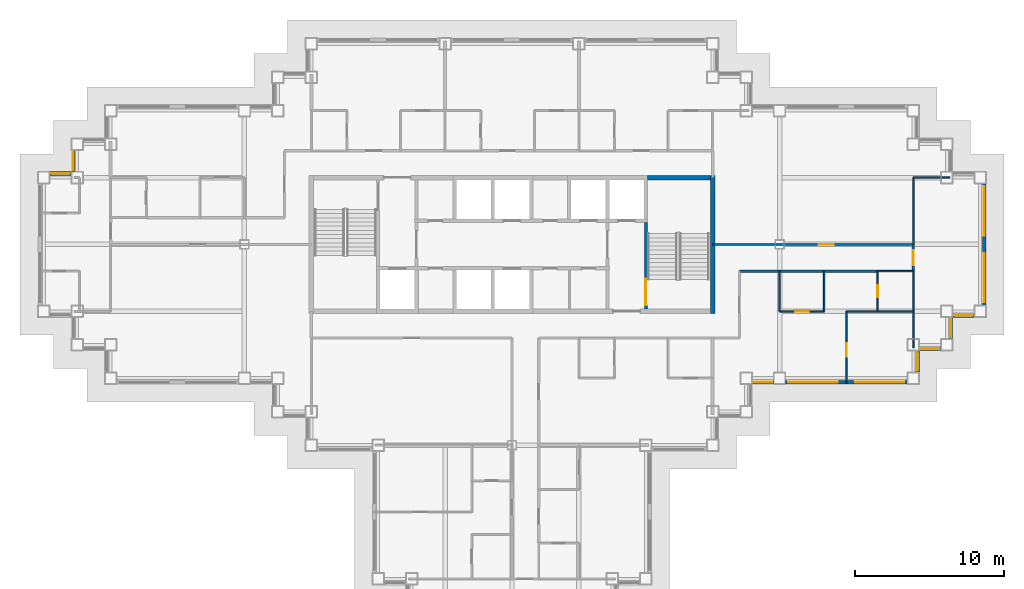
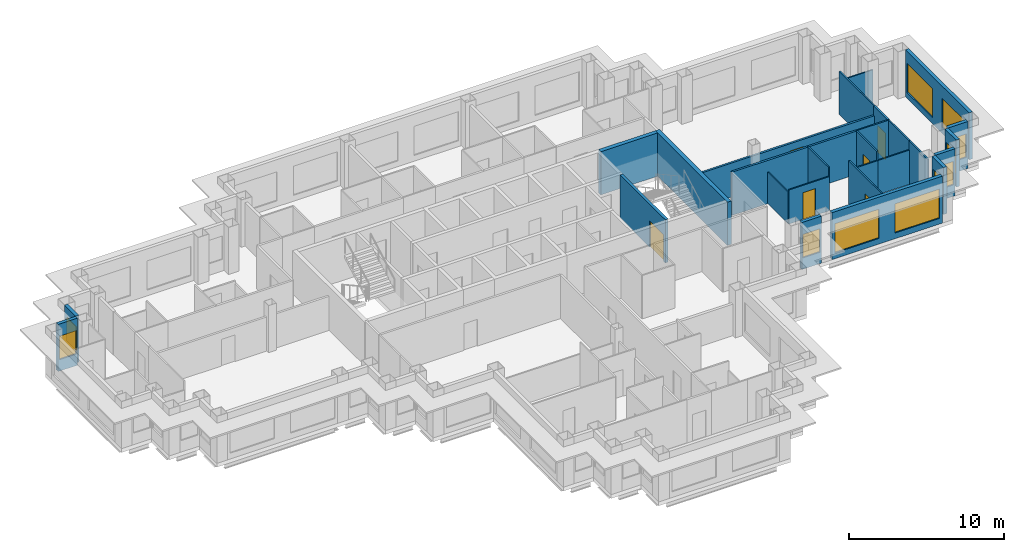
# One storey, part 7 of 13: 27 walls, 11 windows, 6 doors, 17 openings.
"""IFC4 building model written with IfcOpenShell, lengths in metres."""

import ifcopenshell
import ifcopenshell.guid

model = None  # the IFC model being written
_history = None  # IfcOwnerHistory: only IFC2X3 demands one
_inside = {}  # id of a spatial element -> (the spatial element, [elements in it])
_under = {}  # id of a project, library or spatial element -> (it, [spatial elements below it])
_declared = {}  # id of a project -> (the project, [libraries it declares])
_typed = {}  # id of a type object -> (the type object, [elements of that type])
_made_of = {}  # id of a material, layer set ... -> (it, [elements and type objects made of it])


def new_model(schema):
    """Start an empty IFC model of exactly this schema.

    Asked for "IFC4X3", IfcOpenShell would pick the latest addendum, in which some entities
    have other attributes; the version numbers below select the first issue.
    IFC2X3 requires an IfcOwnerHistory on every rooted entity: one is made here for all.
    """
    global model, _history
    if schema == "IFC4X3":
        model = ifcopenshell.file(schema_version=(4, 3, 0, 0))
    else:
        model = ifcopenshell.file(schema=schema)
    _inside.clear()
    _under.clear()
    _declared.clear()
    _typed.clear()
    _made_of.clear()
    _history = None
    if model.schema == "IFC2X3":
        org = make("IfcOrganization", Name="unknown")
        user = make(
            "IfcPersonAndOrganization",
            ThePerson=make("IfcPerson", FamilyName="unknown"),
            TheOrganization=org,
        )
        app = make(
            "IfcApplication",
            ApplicationDeveloper=org,
            Version="unknown",
            ApplicationFullName="unknown",
            ApplicationIdentifier="unknown",
        )
        _history = make(
            "IfcOwnerHistory",
            OwningUser=user,
            OwningApplication=app,
            ChangeAction="ADDED",
            CreationDate=0,
        )
    return model


def make(cls, **values):
    """One entity of the class cls with the attributes given. An attribute that is None is left unset."""
    return model.create_entity(
        cls, **{name: value for name, value in values.items() if value is not None}
    )


def rooted(cls, **values):
    """An entity with a GlobalId (a new one), such as an element, a storey or a relation."""
    return make(cls, GlobalId=ifcopenshell.guid.new(), OwnerHistory=_history, **values)


def si_unit(unit_type, name, prefix=None):
    """IfcSIUnit, for example si_unit("LENGTHUNIT", "METRE", prefix="MILLI")."""
    return make("IfcSIUnit", UnitType=unit_type, Prefix=prefix, Name=name)


def assignment(units):
    """IfcUnitAssignment: the units of a project."""
    return None if units is None else make("IfcUnitAssignment", Units=units)


def point(xyz):
    """IfcCartesianPoint."""
    return None if xyz is None else make("IfcCartesianPoint", Coordinates=xyz)


def direction(xyz):
    """IfcDirection."""
    return None if xyz is None else make("IfcDirection", DirectionRatios=xyz)


def frame(location, z_axis=None, x_axis=None):
    """IfcAxis2Placement3D, a coordinate frame: its origin and axes. An axis left out is left unset."""
    return make(
        "IfcAxis2Placement3D",
        Location=point(location),
        Axis=direction(z_axis),
        RefDirection=direction(x_axis),
    )


def frame_2d(location, x_axis=None):
    """IfcAxis2Placement2D, a coordinate frame in the plane: its origin and x axis."""
    return make(
        "IfcAxis2Placement2D", Location=point(location), RefDirection=direction(x_axis)
    )


def origin():
    """The frame at (0, 0, 0) with its axes left unset."""
    return frame((0.0, 0.0, 0.0))


def place(relative_to, where):
    """IfcLocalPlacement: puts the frame where relative to a parent placement (None: the world)."""
    return make(
        "IfcLocalPlacement", PlacementRelTo=relative_to, RelativePlacement=where
    )


def context(
    kind, dimensions, precision=None, world=None, true_north=None, identifier=None
):
    """IfcGeometricRepresentationContext, for example the 3D "Model" context."""
    return make(
        "IfcGeometricRepresentationContext",
        ContextIdentifier=identifier,
        ContextType=kind,
        CoordinateSpaceDimension=dimensions,
        Precision=precision,
        WorldCoordinateSystem=world,
        TrueNorth=true_north,
    )


def subcontext(parent, identifier, kind, view, scale=None):
    """IfcGeometricRepresentationSubContext, for example "Body" below "Model"."""
    return make(
        "IfcGeometricRepresentationSubContext",
        ContextIdentifier=identifier,
        ContextType=kind,
        ParentContext=parent,
        TargetScale=scale,
        TargetView=view,
    )


def project(units=None, contexts=None):
    """IfcProject with its units and contexts."""
    return rooted(
        "IfcProject",
        Name="project",
        RepresentationContexts=contexts,
        UnitsInContext=assignment(units),
    )


def spatial(cls, under=None, at=None, **own):
    """A site, building, storey or space (cls), placed at a placement, below another one or the project."""
    s = rooted(cls, ObjectPlacement=at, **own)
    if under is not None:
        _under.setdefault(under.id(), (under, []))[1].append(s)
    return s


def profile(cls, at=None, kind="AREA", **sizes):
    """A parametric profile (cls). Its sizes go by their IFC names, for example OverallWidth=200.0."""
    return make(cls, ProfileType=kind, Position=at, **sizes)


def rectangle(**sizes):
    """IfcRectangleProfileDef."""
    return profile("IfcRectangleProfileDef", **sizes)


def extrude(swept, where, along, depth):
    """IfcExtrudedAreaSolid: the profile swept, set in the frame where, extruded along a direction by depth."""
    return make(
        "IfcExtrudedAreaSolid",
        SweptArea=swept,
        Position=where,
        ExtrudedDirection=direction(along),
        Depth=depth,
    )


def shape(context_of_items, identifier, shape_type, items):
    """IfcShapeRepresentation: the items that make up one representation, for example the "Body"."""
    return make(
        "IfcShapeRepresentation",
        ContextOfItems=context_of_items,
        RepresentationIdentifier=identifier,
        RepresentationType=shape_type,
        Items=items,
    )


def material(Name=None, Category=None):
    """IfcMaterial."""
    return make("IfcMaterial", Name=Name, Category=Category)


def layer(
    of_material, thickness, ventilated=None, Name=None, Category=None, Priority=None
):
    """IfcMaterialLayer: one layer of a wall or slab, of a material (None: an air gap)."""
    return make(
        "IfcMaterialLayer",
        Material=of_material,
        LayerThickness=thickness,
        IsVentilated=ventilated,
        Name=Name,
        Category=Category,
        Priority=Priority,
    )


def layer_set(layers, Name=None):
    """IfcMaterialLayerSet."""
    return make("IfcMaterialLayerSet", MaterialLayers=layers, LayerSetName=Name)


def made_of(thing, what):
    """Note that an element or type object is made of a material, layer set ...; save() writes the relation."""
    if what is not None:
        _made_of.setdefault(what.id(), (what, []))[1].append(thing)
    return thing


def type_object(cls, material=None, **own):
    """A type object (cls), such as IfcWallType, which elements share."""
    return made_of(rooted(cls, **own), material)


def element(
    cls,
    number,
    at=None,
    inside=None,
    cuts=None,
    type_object=None,
    material=None,
    context=None,
    identifier="Body",
    shape_type=None,
    held_by="IfcProductDefinitionShape",
    body=None,
    shapes=None,
    **own,
):
    """One element of the class cls, such as IfcWall. Its Tag is "e" and its number.

    at: its placement. inside: the storey or other place that contains it. cuts: it is an
    opening in that element (IfcRelVoidsElement). A single representation is given by context,
    identifier, shape_type and body (its items); several are given by shapes. held_by: the class
    of the entity that holds the representations. save() writes the other relations.
    """
    e = rooted(cls, Tag="e%d" % number, ObjectPlacement=at, **own)
    if body is not None:
        shapes = [shape(context, identifier, shape_type, body)]
    if shapes is not None:
        e.Representation = make(held_by, Representations=shapes)
    if inside is not None:
        _inside.setdefault(inside.id(), (inside, []))[1].append(e)
    if cuts is not None:
        rooted(
            "IfcRelVoidsElement", RelatingBuildingElement=cuts, RelatedOpeningElement=e
        )
    if type_object is not None:
        _typed.setdefault(type_object.id(), (type_object, []))[1].append(e)
    return made_of(e, material)


def fill(opening, filler):
    """IfcRelFillsElement: the door or window that sits in an opening."""
    return rooted(
        "IfcRelFillsElement",
        RelatingOpeningElement=opening,
        RelatedBuildingElement=filler,
    )


def aggregate(whole, parts):
    """IfcRelAggregates: a whole, such as a stair, and the parts it consists of."""
    return rooted("IfcRelAggregates", RelatingObject=whole, RelatedObjects=parts)


def save(model, path):
    """Write the relations noted so far, then the file.

    IfcRelAggregates (storeys below a building ...), IfcRelContainedInSpatialStructure (elements
    in a storey), IfcRelDefinesByType, IfcRelAssociatesMaterial and IfcRelDeclares: one each for
    every whole, place, type object, material and project.
    """
    for whole, parts in _under.values():
        aggregate(whole, parts)
    for where, things in _inside.values():
        rooted(
            "IfcRelContainedInSpatialStructure",
            RelatedElements=things,
            RelatingStructure=where,
        )
    for kind, things in _typed.values():
        rooted("IfcRelDefinesByType", RelatedObjects=things, RelatingType=kind)
    for what, things in _made_of.values():
        rooted("IfcRelAssociatesMaterial", RelatedObjects=things, RelatingMaterial=what)
    for by, libraries in _declared.values():
        rooted("IfcRelDeclares", RelatingContext=by, RelatedDefinitions=libraries)
    model.write(path)


model = new_model("IFC4")

# Units and contexts
model_context = context("Model", 3, precision=1e-05, world=origin(), true_north=direction((0.0, 1.0)))
body_context = subcontext(model_context, "Body", "Model", "MODEL_VIEW")
ifc_project = project(units=[si_unit("LENGTHUNIT", "METRE"), si_unit("AREAUNIT", "SQUARE_METRE"), si_unit("VOLUMEUNIT", "CUBIC_METRE"), si_unit("PLANEANGLEUNIT", "RADIAN"), si_unit("MASSUNIT", "GRAM", prefix="KILO")], contexts=[model_context])

# Site, building, storey
site_placement = place(None, origin())
site = spatial("IfcSite", under=ifc_project, at=site_placement, CompositionType="ELEMENT")
building_placement = place(site_placement, origin())
building = spatial("IfcBuilding", under=site, at=building_placement, Name="Caravel Reach Hotel and Residences", CompositionType="ELEMENT")
storey_placement = place(building_placement, frame((0.0, 0.0, 154.300048828125)))
storey = spatial("IfcBuildingStorey", under=building, at=storey_placement, Name="L38", CompositionType="ELEMENT", Elevation=154.300048828125)

# Walls
ifc_material_1 = material(Name="Gypsum board on steel stud", Category="steel")
ifc_layer_1 = layer(ifc_material_1, 0.10009765625)
ifc_layer_set_1 = layer_set([ifc_layer_1], Name="Bathroom pod wall 100 mm")
wall_type_1 = type_object("IfcWallType", Name="Bathroom pod wall 100 mm", PredefinedType="PARTITIONING", material=ifc_layer_set_1)
wall_1_placement = place(storey_placement, frame((56.10009765625, 22.5, 0.0), z_axis=(0.0, 0.0, 1.0), x_axis=(1.0, 0.0, 0.0)))
element("IfcWall", 1, at=wall_1_placement, inside=storey, type_object=wall_type_1, Name="L38 wall w084", PredefinedType="PARTITIONING", context=body_context, shape_type="SweptSolid", body=[
    extrude(rectangle(XDim=2.39990234375, YDim=0.10009765625, at=frame_2d((1.199951171875, 0.0))), origin(), (0.0, 0.0, 1.0), 2.679931640625),
])
wall_2_placement = place(storey_placement, frame((56.10009765625, 25.199951171875, 0.0), z_axis=(0.0, 0.0, 1.0), x_axis=(1.0, 0.0, 0.0)))
element("IfcWall", 2, at=wall_2_placement, inside=storey, type_object=wall_type_1, Name="L38 wall w085", PredefinedType="PARTITIONING", context=body_context, shape_type="SweptSolid", body=[
    extrude(rectangle(XDim=2.39990234375, YDim=0.10009765625, at=frame_2d((1.199951171875, 0.0))), origin(), (0.0, 0.0, 1.0), 3.39990234375),
])

# Wall, opening, door
wall_3_placement = place(storey_placement, frame((56.10009765625, 22.5, 0.0), z_axis=(0.0, 0.0, 1.0), x_axis=(0.0, 1.0, 0.0)))
wall_3 = element("IfcWall", 3, at=wall_3_placement, inside=storey, type_object=wall_type_1, Name="L38 wall w111", PredefinedType="PARTITIONING", context=body_context, shape_type="SweptSolid", body=[
    extrude(rectangle(XDim=2.699951171875, YDim=0.10009765625, at=frame_2d((1.35009765625, 0.0))), origin(), (0.0, 0.0, 1.0), 3.39990234375),
])
opening_1_placement = place(wall_3_placement, frame((0.949951171875, 0.0, 0.0)))
opening_1 = element("IfcOpeningElement", 4, at=opening_1_placement, cuts=wall_3, Name="Opening D38-033", PredefinedType="OPENING", context=body_context, shape_type="SweptSolid", body=[
    extrude(rectangle(XDim=0.800048828125, YDim=2.10009765625, at=frame_2d((0.39990234375, 1.050048828125))), frame((0.0, 0.06005859375, 0.0), z_axis=(0.0, -1.0, 0.0), x_axis=(1.0, 0.0, 0.0)), (0.0, 0.0, 1.0), 0.1201171875),
])
ifc_material_2 = material(Name="Timber and steel door leaf", Category="steel")
door_type_1 = type_object("IfcDoorType", Name="Bathroom door 800 x 2100", OperationType="SINGLE_SWING_LEFT", PredefinedType="DOOR", material=ifc_material_2)
door_1_placement = place(opening_1_placement, origin())
door_1 = element("IfcDoor", 5, at=door_1_placement, inside=storey, type_object=door_type_1, Name="door D38-033", OperationType="SINGLE_SWING_RIGHT", OverallHeight=2.10009765625, OverallWidth=0.800048828125, PredefinedType="DOOR", context=body_context, shape_type="SweptSolid", body=[
    extrude(rectangle(XDim=0.800048828125, YDim=2.10009765625, at=frame_2d((0.39990234375, 1.050048828125))), frame((0.0, 0.02490234375, 0.0), z_axis=(0.0, -1.0, 0.0), x_axis=(1.0, 0.0, 0.0)), (0.0, 0.0, 1.0), 0.050048828125),
])
fill(opening_1, door_1)

# Walls
wall_4_placement = place(storey_placement, frame((58.5, 22.5, 0.0), z_axis=(0.0, 0.0, 1.0), x_axis=(0.0, 1.0, 0.0)))
element("IfcWall", 6, at=wall_4_placement, inside=storey, type_object=wall_type_1, Name="L38 wall w112", PredefinedType="PARTITIONING", context=body_context, shape_type="SweptSolid", body=[
    extrude(rectangle(XDim=2.699951171875, YDim=0.10009765625, at=frame_2d((1.35009765625, 0.0))), origin(), (0.0, 0.0, 1.0), 3.39990234375),
])
ifc_material_3 = material(Name="Concrete C60", Category="concrete")
ifc_layer_2 = layer(ifc_material_3, 0.300048828125)
ifc_layer_set_2 = layer_set([ifc_layer_2], Name="Core wall 300 mm EI 120")
wall_type_2 = type_object("IfcWallType", Name="Core wall 300 mm EI 120", PredefinedType="SHEAR", material=ifc_layer_set_2)
wall_5_placement = place(storey_placement, frame((40.625, 31.5, 0.0), z_axis=(0.0, 0.0, 1.0), x_axis=(1.0, 0.0, 0.0)))
element("IfcWall", 7, at=wall_5_placement, inside=storey, type_object=wall_type_2, Name="L38 core wall N3", PredefinedType="SHEAR", context=body_context, shape_type="SweptSolid", body=[
    extrude(rectangle(XDim=4.22509765625, YDim=0.300048828125, at=frame_2d((2.112548828125, 0.0))), origin(), (0.0, 0.0, 1.0), 3.39990234375),
])
wall_6_placement = place(storey_placement, frame((45.0, 22.35009765625, 0.0), z_axis=(0.0, 0.0, 1.0), x_axis=(0.0, 1.0, 0.0)))
element("IfcWall", 8, at=wall_6_placement, inside=storey, type_object=wall_type_2, Name="L38 core wall E", PredefinedType="SHEAR", context=body_context, shape_type="SweptSolid", body=[
    extrude(rectangle(XDim=9.2998046875, YDim=0.300048828125, at=frame_2d((4.64990234375, 0.0))), origin(), (0.0, 0.0, 1.0), 3.39990234375),
])
ifc_material_4 = material(Name="Gypsum board on steel stud, fire-rated", Category="steel")
ifc_layer_3 = layer(ifc_material_4, 0.14990234375)
ifc_layer_set_3 = layer_set([ifc_layer_3], Name="Corridor wall 150 mm EI 60")
wall_type_3 = type_object("IfcWallType", Name="Corridor wall 150 mm EI 60", PredefinedType="PARTITIONING", material=ifc_layer_set_3)
wall_7_placement = place(storey_placement, frame((46.801025390625, 25.199951171875, 0.0), z_axis=(0.0, 0.0, 1.0), x_axis=(1.0, 0.0, 0.0)))
element("IfcWall", 9, at=wall_7_placement, inside=storey, type_object=wall_type_3, Name="L38 wall w006", PredefinedType="PARTITIONING", context=body_context, shape_type="SweptSolid", body=[
    extrude(rectangle(XDim=9.299072265625, YDim=0.14990234375, at=frame_2d((4.6494140625, 0.0))), origin(), (0.0, 0.0, 1.0), 3.39990234375),
])

# Wall, opening, door
wall_8_placement = place(storey_placement, frame((45.0, 27.0, 0.0), z_axis=(0.0, 0.0, 1.0), x_axis=(1.0, 0.0, 0.0)))
wall_8 = element("IfcWall", 10, at=wall_8_placement, inside=storey, type_object=wall_type_3, Name="L38 wall w010", PredefinedType="PARTITIONING", context=body_context, shape_type="SweptSolid", body=[
    extrude(rectangle(XDim=13.5, YDim=0.14990234375, at=frame_2d((6.75, 0.0))), origin(), (0.0, 0.0, 1.0), 2.679931640625),
])
opening_2_placement = place(wall_8_placement, frame((7.14990234375, 0.0, 0.0)))
opening_2 = element("IfcOpeningElement", 11, at=opening_2_placement, cuts=wall_8, Name="Opening D38-030", PredefinedType="OPENING", context=body_context, shape_type="SweptSolid", body=[
    extrude(rectangle(XDim=1.0, YDim=2.10009765625, at=frame_2d((0.5, 1.050048828125))), frame((0.0, 0.0849609375, 0.0), z_axis=(0.0, -1.0, 0.0), x_axis=(1.0, 0.0, 0.0)), (0.0, 0.0, 1.0), 0.169921875),
])
ifc_material_5 = material(Name="Steel fire door leaf", Category="steel")
door_type_2 = type_object("IfcDoorType", Name="Fire door 1000 x 2100 EI 60", OperationType="SINGLE_SWING_LEFT", PredefinedType="DOOR", material=ifc_material_5)
door_2_placement = place(opening_2_placement, origin())
door_2 = element("IfcDoor", 12, at=door_2_placement, inside=storey, type_object=door_type_2, Name="door D38-030", OperationType="SINGLE_SWING_RIGHT", OverallHeight=2.10009765625, OverallWidth=1.0, PredefinedType="DOOR", context=body_context, shape_type="SweptSolid", body=[
    extrude(rectangle(XDim=1.0, YDim=2.10009765625, at=frame_2d((0.5, 1.050048828125))), frame((0.0, 0.02490234375, 0.0), z_axis=(0.0, -1.0, 0.0), x_axis=(1.0, 0.0, 0.0)), (0.0, 0.0, 1.0), 0.050048828125),
])
fill(opening_2, door_2)

wall_9_placement = place(storey_placement, frame((58.5, 25.199951171875, 0.0), z_axis=(0.0, 0.0, 1.0), x_axis=(0.0, 1.0, 0.0)))
wall_9 = element("IfcWall", 13, at=wall_9_placement, inside=storey, type_object=wall_type_3, Name="L38 wall w033", PredefinedType="PARTITIONING", context=body_context, shape_type="SweptSolid", body=[
    extrude(rectangle(XDim=1.800048828125, YDim=0.14990234375, at=frame_2d((0.89990234375, 0.0))), origin(), (0.0, 0.0, 1.0), 3.39990234375),
])
opening_3_placement = place(wall_9_placement, frame((0.39990234375, 0.0, 0.0)))
opening_3 = element("IfcOpeningElement", 14, at=opening_3_placement, cuts=wall_9, Name="Opening D38-049", PredefinedType="OPENING", context=body_context, shape_type="SweptSolid", body=[
    extrude(rectangle(XDim=1.0, YDim=2.10009765625, at=frame_2d((0.5, 1.050048828125))), frame((0.0, 0.0849609375, 0.0), z_axis=(0.0, -1.0, 0.0), x_axis=(1.0, 0.0, 0.0)), (0.0, 0.0, 1.0), 0.169921875),
])
door_3_placement = place(opening_3_placement, origin())
door_3 = element("IfcDoor", 15, at=door_3_placement, inside=storey, type_object=door_type_2, Name="door D38-049", OperationType="SINGLE_SWING_RIGHT", OverallHeight=2.10009765625, OverallWidth=1.0, PredefinedType="DOOR", context=body_context, shape_type="SweptSolid", body=[
    extrude(rectangle(XDim=1.0, YDim=2.10009765625, at=frame_2d((0.5, 1.050048828125))), frame((0.0, 0.02490234375, 0.0), z_axis=(0.0, -1.0, 0.0), x_axis=(1.0, 0.0, 0.0)), (0.0, 0.0, 1.0), 0.050048828125),
])
fill(opening_3, door_3)

# Wall, opening, window
ifc_material_6 = material(Name="Insulated rainscreen wall, aluminium cladding", Category="aluminium")
ifc_layer_4 = layer(ifc_material_6, 0.25)
ifc_layer_set_4 = layer_set([ifc_layer_4], Name="EW1 Tower rainscreen wall")
wall_type_4 = type_object("IfcWallType", Name="EW1 Tower rainscreen wall", PredefinedType="SOLIDWALL", material=ifc_layer_set_4)
wall_10_placement = place(storey_placement, frame((47.64990234375, 17.72509765625, 0.0), z_axis=(0.0, 0.0, 1.0), x_axis=(1.0, 0.0, 0.0)))
wall_10 = element("IfcWall", 16, at=wall_10_placement, inside=storey, type_object=wall_type_4, Name="External wall L38 S15.1", PredefinedType="SOLIDWALL", context=body_context, shape_type="SweptSolid", body=[
    extrude(rectangle(XDim=1.4501953125, YDim=0.25, at=frame_2d((0.72509765625, 0.0))), origin(), (0.0, 0.0, 1.0), 3.699951171875),
])
opening_4_placement = place(wall_10_placement, frame((0.10009765625, 0.0, 0.89990234375)))
opening_4 = element("IfcOpeningElement", 17, at=opening_4_placement, cuts=wall_10, Name="Opening WN13", PredefinedType="OPENING", context=body_context, shape_type="SweptSolid", body=[
    extrude(rectangle(XDim=1.25, YDim=1.85009765625, at=frame_2d((0.625, 0.925048828125))), frame((0.0, 0.135009765625, 0.0), z_axis=(0.0, -1.0, 0.0), x_axis=(1.0, 0.0, 0.0)), (0.0, 0.0, 1.0), 0.27001953125),
])
ifc_material_7 = material(Name="Dark low-e glazing in black aluminium frame", Category="aluminium")
window_type_1 = type_object("IfcWindowType", Name="Residence bedroom window 1250 x 1850", PartitioningType="SINGLE_PANEL", PredefinedType="WINDOW", material=ifc_material_7)
window_1_placement = place(opening_4_placement, origin())
window_1 = element("IfcWindow", 18, at=window_1_placement, inside=storey, type_object=window_type_1, Name="Window L38 S15.1.1", OverallHeight=1.85009765625, OverallWidth=1.25, PartitioningType="SINGLE_PANEL", PredefinedType="WINDOW", context=body_context, shape_type="SweptSolid", body=[
    extrude(rectangle(XDim=1.25, YDim=1.85009765625, at=frame_2d((0.625, 0.925048828125))), frame((0.0, 0.030029296875, 0.0), z_axis=(0.0, -1.0, 0.0), x_axis=(1.0, 0.0, 0.0)), (0.0, 0.0, 1.0), 0.06005859375),
])
fill(opening_4, window_1)

# Wall, openings, windows
wall_11_placement = place(storey_placement, frame((49.89990234375, 17.72509765625, 0.0), z_axis=(0.0, 0.0, 1.0), x_axis=(1.0, 0.0, 0.0)))
wall_11 = element("IfcWall", 19, at=wall_11_placement, inside=storey, type_object=wall_type_4, Name="External wall L38 S15.2", PredefinedType="SOLIDWALL", context=body_context, shape_type="SweptSolid", body=[
    extrude(rectangle(XDim=8.2001953125, YDim=0.25, at=frame_2d((4.10009765625, 0.0))), origin(), (0.0, 0.0, 1.0), 3.699951171875),
])
opening_5_placement = place(wall_11_placement, frame((0.199951171875, 0.0, 0.449951171875)))
opening_5 = element("IfcOpeningElement", 20, at=opening_5_placement, cuts=wall_11, Name="Opening WN15", PredefinedType="OPENING", context=body_context, shape_type="SweptSolid", body=[
    extrude(rectangle(XDim=3.300048828125, YDim=2.300048828125, at=frame_2d((1.64990234375, 1.14990234375))), frame((0.0, 0.135009765625, 0.0), z_axis=(0.0, -1.0, 0.0), x_axis=(1.0, 0.0, 0.0)), (0.0, 0.0, 1.0), 0.27001953125),
])
opening_6_placement = place(wall_11_placement, frame((4.699951171875, 0.0, 0.449951171875)))
opening_6 = element("IfcOpeningElement", 21, at=opening_6_placement, cuts=wall_11, Name="Opening WN15", PredefinedType="OPENING", context=body_context, shape_type="SweptSolid", body=[
    extrude(rectangle(XDim=3.300048828125, YDim=2.300048828125, at=frame_2d((1.64990234375, 1.14990234375))), frame((0.0, 0.135009765625, 0.0), z_axis=(0.0, -1.0, 0.0), x_axis=(1.0, 0.0, 0.0)), (0.0, 0.0, 1.0), 0.27001953125),
])
ifc_material_8 = material(Name="Dark low-e glazing in black aluminium frame", Category="aluminium")
window_type_2 = type_object("IfcWindowType", Name="Residence living window 3300 x 2300", PartitioningType="SINGLE_PANEL", PredefinedType="WINDOW", material=ifc_material_8)
window_2_placement = place(opening_5_placement, origin())
window_2 = element("IfcWindow", 22, at=window_2_placement, inside=storey, type_object=window_type_2, Name="Window L38 S15.2.1", OverallHeight=2.300048828125, OverallWidth=3.300048828125, PartitioningType="SINGLE_PANEL", PredefinedType="WINDOW", context=body_context, shape_type="SweptSolid", body=[
    extrude(rectangle(XDim=3.300048828125, YDim=2.300048828125, at=frame_2d((1.64990234375, 1.14990234375))), frame((0.0, 0.030029296875, 0.0), z_axis=(0.0, -1.0, 0.0), x_axis=(1.0, 0.0, 0.0)), (0.0, 0.0, 1.0), 0.06005859375),
])
fill(opening_5, window_2)
window_3_placement = place(opening_6_placement, origin())
window_3 = element("IfcWindow", 23, at=window_3_placement, inside=storey, type_object=window_type_2, Name="Window L38 S15.2.2", OverallHeight=2.300048828125, OverallWidth=3.300048828125, PartitioningType="SINGLE_PANEL", PredefinedType="WINDOW", context=body_context, shape_type="SweptSolid", body=[
    extrude(rectangle(XDim=3.300048828125, YDim=2.300048828125, at=frame_2d((1.64990234375, 1.14990234375))), frame((0.0, 0.030029296875, 0.0), z_axis=(0.0, -1.0, 0.0), x_axis=(1.0, 0.0, 0.0)), (0.0, 0.0, 1.0), 0.06005859375),
])
fill(opening_6, window_3)

# Wall, opening, window
wall_12_placement = place(storey_placement, frame((58.77490234375, 18.39990234375, 0.0), z_axis=(0.0, 0.0, 1.0), x_axis=(0.0, 1.0, 0.0)))
wall_12 = element("IfcWall", 24, at=wall_12_placement, inside=storey, type_object=wall_type_4, Name="External wall L38 E16.1", PredefinedType="SOLIDWALL", context=body_context, shape_type="SweptSolid", body=[
    extrude(rectangle(XDim=1.4501953125, YDim=0.25, at=frame_2d((0.72509765625, 0.0))), origin(), (0.0, 0.0, 1.0), 3.699951171875),
])
opening_7_placement = place(wall_12_placement, frame((0.10009765625, 0.0, 0.89990234375)))
opening_7 = element("IfcOpeningElement", 25, at=opening_7_placement, cuts=wall_12, Name="Opening WN13", PredefinedType="OPENING", context=body_context, shape_type="SweptSolid", body=[
    extrude(rectangle(XDim=1.25, YDim=1.85009765625, at=frame_2d((0.625, 0.925048828125))), frame((0.0, 0.135009765625, 0.0), z_axis=(0.0, -1.0, 0.0), x_axis=(1.0, 0.0, 0.0)), (0.0, 0.0, 1.0), 0.27001953125),
])
window_4_placement = place(opening_7_placement, origin())
window_4 = element("IfcWindow", 26, at=window_4_placement, inside=storey, type_object=window_type_1, Name="Window L38 E16.1.1", OverallHeight=1.85009765625, OverallWidth=1.25, PartitioningType="SINGLE_PANEL", PredefinedType="WINDOW", context=body_context, shape_type="SweptSolid", body=[
    extrude(rectangle(XDim=1.25, YDim=1.85009765625, at=frame_2d((0.625, 0.925048828125))), frame((0.0, 0.030029296875, 0.0), z_axis=(0.0, -1.0, 0.0), x_axis=(1.0, 0.0, 0.0)), (0.0, 0.0, 1.0), 0.06005859375),
])
fill(opening_7, window_4)

wall_13_placement = place(storey_placement, frame((58.89990234375, 19.97509765625, 0.0), z_axis=(0.0, 0.0, 1.0), x_axis=(1.0, 0.0, 0.0)))
wall_13 = element("IfcWall", 27, at=wall_13_placement, inside=storey, type_object=wall_type_4, Name="External wall L38 S17.1", PredefinedType="SOLIDWALL", context=body_context, shape_type="SweptSolid", body=[
    extrude(rectangle(XDim=1.4501953125, YDim=0.25, at=frame_2d((0.72509765625, 0.0))), origin(), (0.0, 0.0, 1.0), 3.699951171875),
])
opening_8_placement = place(wall_13_placement, frame((0.10009765625, 0.0, 0.89990234375)))
opening_8 = element("IfcOpeningElement", 28, at=opening_8_placement, cuts=wall_13, Name="Opening WN13", PredefinedType="OPENING", context=body_context, shape_type="SweptSolid", body=[
    extrude(rectangle(XDim=1.25, YDim=1.85009765625, at=frame_2d((0.625, 0.925048828125))), frame((0.0, 0.135009765625, 0.0), z_axis=(0.0, -1.0, 0.0), x_axis=(1.0, 0.0, 0.0)), (0.0, 0.0, 1.0), 0.27001953125),
])
window_5_placement = place(opening_8_placement, origin())
window_5 = element("IfcWindow", 29, at=window_5_placement, inside=storey, type_object=window_type_1, Name="Window L38 S17.1.1", OverallHeight=1.85009765625, OverallWidth=1.25, PartitioningType="SINGLE_PANEL", PredefinedType="WINDOW", context=body_context, shape_type="SweptSolid", body=[
    extrude(rectangle(XDim=1.25, YDim=1.85009765625, at=frame_2d((0.625, 0.925048828125))), frame((0.0, 0.030029296875, 0.0), z_axis=(0.0, -1.0, 0.0), x_axis=(1.0, 0.0, 0.0)), (0.0, 0.0, 1.0), 0.06005859375),
])
fill(opening_8, window_5)

wall_14_placement = place(storey_placement, frame((61.02490234375, 20.64990234375, 0.0), z_axis=(0.0, 0.0, 1.0), x_axis=(0.0, 1.0, 0.0)))
wall_14 = element("IfcWall", 30, at=wall_14_placement, inside=storey, type_object=wall_type_4, Name="External wall L38 E18.1", PredefinedType="SOLIDWALL", context=body_context, shape_type="SweptSolid", body=[
    extrude(rectangle(XDim=1.4501953125, YDim=0.25, at=frame_2d((0.72509765625, 0.0))), origin(), (0.0, 0.0, 1.0), 3.699951171875),
])
opening_9_placement = place(wall_14_placement, frame((0.10009765625, 0.0, 0.89990234375)))
opening_9 = element("IfcOpeningElement", 31, at=opening_9_placement, cuts=wall_14, Name="Opening WN13", PredefinedType="OPENING", context=body_context, shape_type="SweptSolid", body=[
    extrude(rectangle(XDim=1.25, YDim=1.85009765625, at=frame_2d((0.625, 0.925048828125))), frame((0.0, 0.135009765625, 0.0), z_axis=(0.0, -1.0, 0.0), x_axis=(1.0, 0.0, 0.0)), (0.0, 0.0, 1.0), 0.27001953125),
])
window_6_placement = place(opening_9_placement, origin())
window_6 = element("IfcWindow", 32, at=window_6_placement, inside=storey, type_object=window_type_1, Name="Window L38 E18.1.1", OverallHeight=1.85009765625, OverallWidth=1.25, PartitioningType="SINGLE_PANEL", PredefinedType="WINDOW", context=body_context, shape_type="SweptSolid", body=[
    extrude(rectangle(XDim=1.25, YDim=1.85009765625, at=frame_2d((0.625, 0.925048828125))), frame((0.0, 0.030029296875, 0.0), z_axis=(0.0, -1.0, 0.0), x_axis=(1.0, 0.0, 0.0)), (0.0, 0.0, 1.0), 0.06005859375),
])
fill(opening_9, window_6)

wall_15_placement = place(storey_placement, frame((61.14990234375, 22.22509765625, 0.0), z_axis=(0.0, 0.0, 1.0), x_axis=(1.0, 0.0, 0.0)))
wall_15 = element("IfcWall", 33, at=wall_15_placement, inside=storey, type_object=wall_type_4, Name="External wall L38 S19.1", PredefinedType="SOLIDWALL", context=body_context, shape_type="SweptSolid", body=[
    extrude(rectangle(XDim=1.4501953125, YDim=0.25, at=frame_2d((0.72509765625, 0.0))), origin(), (0.0, 0.0, 1.0), 3.699951171875),
])
opening_10_placement = place(wall_15_placement, frame((0.10009765625, 0.0, 0.89990234375)))
opening_10 = element("IfcOpeningElement", 34, at=opening_10_placement, cuts=wall_15, Name="Opening WN13", PredefinedType="OPENING", context=body_context, shape_type="SweptSolid", body=[
    extrude(rectangle(XDim=1.25, YDim=1.85009765625, at=frame_2d((0.625, 0.925048828125))), frame((0.0, 0.135009765625, 0.0), z_axis=(0.0, -1.0, 0.0), x_axis=(1.0, 0.0, 0.0)), (0.0, 0.0, 1.0), 0.27001953125),
])
window_7_placement = place(opening_10_placement, origin())
window_7 = element("IfcWindow", 35, at=window_7_placement, inside=storey, type_object=window_type_1, Name="Window L38 S19.1.1", OverallHeight=1.85009765625, OverallWidth=1.25, PartitioningType="SINGLE_PANEL", PredefinedType="WINDOW", context=body_context, shape_type="SweptSolid", body=[
    extrude(rectangle(XDim=1.25, YDim=1.85009765625, at=frame_2d((0.625, 0.925048828125))), frame((0.0, 0.030029296875, 0.0), z_axis=(0.0, -1.0, 0.0), x_axis=(1.0, 0.0, 0.0)), (0.0, 0.0, 1.0), 0.06005859375),
])
fill(opening_10, window_7)

# Wall, openings, windows
wall_16_placement = place(storey_placement, frame((63.27490234375, 22.89990234375, 0.0), z_axis=(0.0, 0.0, 1.0), x_axis=(0.0, 1.0, 0.0)))
wall_16 = element("IfcWall", 36, at=wall_16_placement, inside=storey, type_object=wall_type_4, Name="External wall L38 E20.1", PredefinedType="SOLIDWALL", context=body_context, shape_type="SweptSolid", body=[
    extrude(rectangle(XDim=8.2001953125, YDim=0.25, at=frame_2d((4.10009765625, 0.0))), origin(), (0.0, 0.0, 1.0), 3.699951171875),
])
opening_11_placement = place(wall_16_placement, frame((0.199951171875, 0.0, 0.449951171875)))
opening_11 = element("IfcOpeningElement", 37, at=opening_11_placement, cuts=wall_16, Name="Opening WN15", PredefinedType="OPENING", context=body_context, shape_type="SweptSolid", body=[
    extrude(rectangle(XDim=3.300048828125, YDim=2.300048828125, at=frame_2d((1.64990234375, 1.14990234375))), frame((0.0, 0.135009765625, 0.0), z_axis=(0.0, -1.0, 0.0), x_axis=(1.0, 0.0, 0.0)), (0.0, 0.0, 1.0), 0.27001953125),
])
opening_12_placement = place(wall_16_placement, frame((4.699951171875, 0.0, 0.449951171875)))
opening_12 = element("IfcOpeningElement", 38, at=opening_12_placement, cuts=wall_16, Name="Opening WN15", PredefinedType="OPENING", context=body_context, shape_type="SweptSolid", body=[
    extrude(rectangle(XDim=3.300048828125, YDim=2.300048828125, at=frame_2d((1.64990234375, 1.14990234375))), frame((0.0, 0.135009765625, 0.0), z_axis=(0.0, -1.0, 0.0), x_axis=(1.0, 0.0, 0.0)), (0.0, 0.0, 1.0), 0.27001953125),
])
window_8_placement = place(opening_11_placement, origin())
window_8 = element("IfcWindow", 39, at=window_8_placement, inside=storey, type_object=window_type_2, Name="Window L38 E20.1.1", OverallHeight=2.300048828125, OverallWidth=3.300048828125, PartitioningType="SINGLE_PANEL", PredefinedType="WINDOW", context=body_context, shape_type="SweptSolid", body=[
    extrude(rectangle(XDim=3.300048828125, YDim=2.300048828125, at=frame_2d((1.64990234375, 1.14990234375))), frame((0.0, 0.030029296875, 0.0), z_axis=(0.0, -1.0, 0.0), x_axis=(1.0, 0.0, 0.0)), (0.0, 0.0, 1.0), 0.06005859375),
])
fill(opening_11, window_8)
window_9_placement = place(opening_12_placement, origin())
window_9 = element("IfcWindow", 40, at=window_9_placement, inside=storey, type_object=window_type_2, Name="Window L38 E20.1.2", OverallHeight=2.300048828125, OverallWidth=3.300048828125, PartitioningType="SINGLE_PANEL", PredefinedType="WINDOW", context=body_context, shape_type="SweptSolid", body=[
    extrude(rectangle(XDim=3.300048828125, YDim=2.300048828125, at=frame_2d((1.64990234375, 1.14990234375))), frame((0.0, 0.030029296875, 0.0), z_axis=(0.0, -1.0, 0.0), x_axis=(1.0, 0.0, 0.0)), (0.0, 0.0, 1.0), 0.06005859375),
])
fill(opening_12, window_9)

# Wall, opening, window
wall_17_placement = place(storey_placement, frame((1.97509765625, 33.35009765625, 0.0), z_axis=(0.0, 0.0, 1.0), x_axis=(0.0, -1.0, 0.0)))
wall_17 = element("IfcWall", 41, at=wall_17_placement, inside=storey, type_object=wall_type_4, Name="External wall L38 W36.1", PredefinedType="SOLIDWALL", context=body_context, shape_type="SweptSolid", body=[
    extrude(rectangle(XDim=1.4501953125, YDim=0.25, at=frame_2d((0.72509765625, 0.0))), origin(), (0.0, 0.0, 1.0), 3.699951171875),
])
opening_13_placement = place(wall_17_placement, frame((0.10009765625, 0.0, 0.89990234375)))
opening_13 = element("IfcOpeningElement", 42, at=opening_13_placement, cuts=wall_17, Name="Opening WN13", PredefinedType="OPENING", context=body_context, shape_type="SweptSolid", body=[
    extrude(rectangle(XDim=1.25, YDim=1.85009765625, at=frame_2d((0.625, 0.925048828125))), frame((0.0, 0.135009765625, 0.0), z_axis=(0.0, -1.0, 0.0), x_axis=(1.0, 0.0, 0.0)), (0.0, 0.0, 1.0), 0.27001953125),
])
window_10_placement = place(opening_13_placement, origin())
window_10 = element("IfcWindow", 43, at=window_10_placement, inside=storey, type_object=window_type_1, Name="Window L38 W36.1.1", OverallHeight=1.85009765625, OverallWidth=1.25, PartitioningType="SINGLE_PANEL", PredefinedType="WINDOW", context=body_context, shape_type="SweptSolid", body=[
    extrude(rectangle(XDim=1.25, YDim=1.85009765625, at=frame_2d((0.625, 0.925048828125))), frame((0.0, 0.030029296875, 0.0), z_axis=(0.0, -1.0, 0.0), x_axis=(1.0, 0.0, 0.0)), (0.0, 0.0, 1.0), 0.06005859375),
])
fill(opening_13, window_10)

wall_18_placement = place(storey_placement, frame((1.85009765625, 31.77490234375, 0.0), z_axis=(0.0, 0.0, 1.0), x_axis=(-1.0, 0.0, 0.0)))
wall_18 = element("IfcWall", 44, at=wall_18_placement, inside=storey, type_object=wall_type_4, Name="External wall L38 N37.1", PredefinedType="SOLIDWALL", context=body_context, shape_type="SweptSolid", body=[
    extrude(rectangle(XDim=1.4501953125, YDim=0.25, at=frame_2d((0.72509765625, 0.0))), origin(), (0.0, 0.0, 1.0), 3.699951171875),
])
opening_14_placement = place(wall_18_placement, frame((0.10009765625, 0.0, 0.89990234375)))
opening_14 = element("IfcOpeningElement", 45, at=opening_14_placement, cuts=wall_18, Name="Opening WN13", PredefinedType="OPENING", context=body_context, shape_type="SweptSolid", body=[
    extrude(rectangle(XDim=1.25, YDim=1.85009765625, at=frame_2d((0.625, 0.925048828125))), frame((0.0, 0.135009765625, 0.0), z_axis=(0.0, -1.0, 0.0), x_axis=(1.0, 0.0, 0.0)), (0.0, 0.0, 1.0), 0.27001953125),
])
window_11_placement = place(opening_14_placement, origin())
window_11 = element("IfcWindow", 46, at=window_11_placement, inside=storey, type_object=window_type_1, Name="Window L38 N37.1.1", OverallHeight=1.85009765625, OverallWidth=1.25, PartitioningType="SINGLE_PANEL", PredefinedType="WINDOW", context=body_context, shape_type="SweptSolid", body=[
    extrude(rectangle(XDim=1.25, YDim=1.85009765625, at=frame_2d((0.625, 0.925048828125))), frame((0.0, 0.030029296875, 0.0), z_axis=(0.0, -1.0, 0.0), x_axis=(1.0, 0.0, 0.0)), (0.0, 0.0, 1.0), 0.06005859375),
])
fill(opening_14, window_11)

# Wall
ifc_material_9 = material(Name="Gypsum board on steel stud", Category="steel")
ifc_layer_5 = layer(ifc_material_9, 0.10009765625)
ifc_layer_set_5 = layer_set([ifc_layer_5], Name="Partition 100 mm")
wall_type_5 = type_object("IfcWallType", Name="Partition 100 mm", PredefinedType="PARTITIONING", material=ifc_layer_set_5)
wall_19_placement = place(storey_placement, frame((54.0, 22.5, 0.0), z_axis=(0.0, 0.0, 1.0), x_axis=(1.0, 0.0, 0.0)))
element("IfcWall", 47, at=wall_19_placement, inside=storey, type_object=wall_type_5, Name="L38 wall w037", PredefinedType="PARTITIONING", context=body_context, shape_type="SweptSolid", body=[
    extrude(rectangle(XDim=2.10009765625, YDim=0.10009765625, at=frame_2d((1.050048828125, 0.0))), origin(), (0.0, 0.0, 1.0), 2.679931640625),
])

# Wall, opening, door
wall_20_placement = place(storey_placement, frame((49.5, 22.5, 0.0), z_axis=(0.0, 0.0, 1.0), x_axis=(1.0, 0.0, 0.0)))
wall_20 = element("IfcWall", 48, at=wall_20_placement, inside=storey, type_object=wall_type_5, Name="L38 wall w038", PredefinedType="PARTITIONING", context=body_context, shape_type="SweptSolid", body=[
    extrude(rectangle(XDim=3.0, YDim=0.10009765625, at=frame_2d((1.5, 0.0))), origin(), (0.0, 0.0, 1.0), 2.679931640625),
])
opening_15_placement = place(wall_20_placement, frame((1.050048828125, 0.0, 0.0)))
opening_15 = element("IfcOpeningElement", 49, at=opening_15_placement, cuts=wall_20, Name="Opening D38-032", PredefinedType="OPENING", context=body_context, shape_type="SweptSolid", body=[
    extrude(rectangle(XDim=0.89990234375, YDim=2.10009765625, at=frame_2d((0.449951171875, 1.050048828125))), frame((0.0, 0.06005859375, 0.0), z_axis=(0.0, -1.0, 0.0), x_axis=(1.0, 0.0, 0.0)), (0.0, 0.0, 1.0), 0.1201171875),
])
ifc_material_10 = material(Name="Timber and steel door leaf", Category="steel")
door_type_3 = type_object("IfcDoorType", Name="Door 900 x 2100 timber", OperationType="SINGLE_SWING_LEFT", PredefinedType="DOOR", material=ifc_material_10)
door_4_placement = place(opening_15_placement, origin())
door_4 = element("IfcDoor", 50, at=door_4_placement, inside=storey, type_object=door_type_3, Name="door D38-032", OperationType="SINGLE_SWING_LEFT", OverallHeight=2.10009765625, OverallWidth=0.89990234375, PredefinedType="DOOR", context=body_context, shape_type="SweptSolid", body=[
    extrude(rectangle(XDim=0.89990234375, YDim=2.10009765625, at=frame_2d((0.449951171875, 1.050048828125))), frame((0.0, 0.02490234375, 0.0), z_axis=(0.0, -1.0, 0.0), x_axis=(1.0, 0.0, 0.0)), (0.0, 0.0, 1.0), 0.050048828125),
])
fill(opening_15, door_4)

# Walls
wall_21_placement = place(storey_placement, frame((58.5009765625, 31.5, 0.0), z_axis=(0.0, 0.0, 1.0), x_axis=(1.0, 0.0, 0.0)))
element("IfcWall", 51, at=wall_21_placement, inside=storey, type_object=wall_type_5, Name="L38 wall w041", PredefinedType="PARTITIONING", context=body_context, shape_type="SweptSolid", body=[
    extrude(rectangle(XDim=2.43896484375, YDim=0.10009765625, at=frame_2d((1.219482421875, 0.0))), origin(), (0.0, 0.0, 1.0), 2.679931640625),
])
wall_22_placement = place(storey_placement, frame((49.5, 22.5, 0.0), z_axis=(0.0, 0.0, 1.0), x_axis=(0.0, 1.0, 0.0)))
element("IfcWall", 52, at=wall_22_placement, inside=storey, type_object=wall_type_5, Name="L38 wall w067", PredefinedType="PARTITIONING", context=body_context, shape_type="SweptSolid", body=[
    extrude(rectangle(XDim=2.698974609375, YDim=0.10009765625, at=frame_2d((1.349609375, 0.0))), origin(), (0.0, 0.0, 1.0), 2.47998046875),
])
wall_23_placement = place(storey_placement, frame((52.5, 22.5, 0.0), z_axis=(0.0, 0.0, 1.0), x_axis=(0.0, 1.0, 0.0)))
element("IfcWall", 53, at=wall_23_placement, inside=storey, type_object=wall_type_5, Name="L38 wall w068", PredefinedType="PARTITIONING", context=body_context, shape_type="SweptSolid", body=[
    extrude(rectangle(XDim=2.699951171875, YDim=0.10009765625, at=frame_2d((1.35009765625, 0.0))), origin(), (0.0, 0.0, 1.0), 3.39990234375),
])

# Wall, opening, door
wall_24_placement = place(storey_placement, frame((54.0, 17.659912109375, 0.0), z_axis=(0.0, 0.0, 1.0), x_axis=(0.0, 1.0, 0.0)))
wall_24 = element("IfcWall", 54, at=wall_24_placement, inside=storey, type_object=wall_type_5, Name="L38 wall w069", PredefinedType="PARTITIONING", context=body_context, shape_type="SweptSolid", body=[
    extrude(rectangle(XDim=4.840087890625, YDim=0.10009765625, at=frame_2d((2.419921875, 0.0))), origin(), (0.0, 0.0, 1.0), 3.39990234375),
])
opening_16_placement = place(wall_24_placement, frame((1.800048828125, 0.0, 0.0)))
opening_16 = element("IfcOpeningElement", 55, at=opening_16_placement, cuts=wall_24, Name="Opening D38-034", PredefinedType="OPENING", context=body_context, shape_type="SweptSolid", body=[
    extrude(rectangle(XDim=0.89990234375, YDim=2.10009765625, at=frame_2d((0.449951171875, 1.050048828125))), frame((0.0, 0.06005859375, 0.0), z_axis=(0.0, -1.0, 0.0), x_axis=(1.0, 0.0, 0.0)), (0.0, 0.0, 1.0), 0.1201171875),
])
door_5_placement = place(opening_16_placement, origin())
door_5 = element("IfcDoor", 56, at=door_5_placement, inside=storey, type_object=door_type_3, Name="door D38-034", OperationType="SINGLE_SWING_LEFT", OverallHeight=2.10009765625, OverallWidth=0.89990234375, PredefinedType="DOOR", context=body_context, shape_type="SweptSolid", body=[
    extrude(rectangle(XDim=0.89990234375, YDim=2.10009765625, at=frame_2d((0.449951171875, 1.050048828125))), frame((0.0, 0.02490234375, 0.0), z_axis=(0.0, -1.0, 0.0), x_axis=(1.0, 0.0, 0.0)), (0.0, 0.0, 1.0), 0.050048828125),
])
fill(opening_16, door_5)

# Walls
wall_25_placement = place(storey_placement, frame((58.5, 27.0, 0.0), z_axis=(0.0, 0.0, 1.0), x_axis=(0.0, 1.0, 0.0)))
element("IfcWall", 57, at=wall_25_placement, inside=storey, type_object=wall_type_5, Name="L38 wall w070", PredefinedType="PARTITIONING", context=body_context, shape_type="SweptSolid", body=[
    extrude(rectangle(XDim=4.5, YDim=0.10009765625, at=frame_2d((2.25, 0.0))), origin(), (0.0, 0.0, 1.0), 3.39990234375),
])
wall_26_placement = place(storey_placement, frame((58.5, 20.06005859375, 0.0), z_axis=(0.0, 0.0, 1.0), x_axis=(0.0, 1.0, 0.0)))
element("IfcWall", 58, at=wall_26_placement, inside=storey, type_object=wall_type_5, Name="L38 wall w071", PredefinedType="PARTITIONING", context=body_context, shape_type="SweptSolid", body=[
    extrude(rectangle(XDim=2.43896484375, YDim=0.10009765625, at=frame_2d((1.219482421875, 0.0))), origin(), (0.0, 0.0, 1.0), 3.39990234375),
])

# Wall, opening, door
ifc_material_11 = material(Name="Concrete C60", Category="concrete")
ifc_layer_6 = layer(ifc_material_11, 0.199951171875)
ifc_layer_set_6 = layer_set([ifc_layer_6], Name="Stair enclosure wall 200 mm EI 120")
wall_type_6 = type_object("IfcWallType", Name="Stair enclosure wall 200 mm EI 120", PredefinedType="SHEAR", material=ifc_layer_set_6)
wall_27_placement = place(storey_placement, frame((40.5, 22.64990234375, 0.0), z_axis=(0.0, 0.0, 1.0), x_axis=(0.0, 1.0, 0.0)))
wall_27 = element("IfcWall", 59, at=wall_27_placement, inside=storey, type_object=wall_type_6, Name="L38 stair B wall", PredefinedType="SHEAR", context=body_context, shape_type="SweptSolid", body=[
    extrude(rectangle(XDim=5.8251953125, YDim=0.199951171875, at=frame_2d((2.91259765625, 0.0))), origin(), (0.0, 0.0, 1.0), 3.39990234375),
])
opening_17_placement = place(wall_27_placement, frame((0.25, 0.0, 0.0)))
opening_17 = element("IfcOpeningElement", 60, at=opening_17_placement, cuts=wall_27, Name="Opening D38-012", PredefinedType="OPENING", context=body_context, shape_type="SweptSolid", body=[
    extrude(rectangle(XDim=1.800048828125, YDim=2.10009765625, at=frame_2d((0.89990234375, 1.050048828125))), frame((0.0, 0.10986328125, 0.0), z_axis=(0.0, -1.0, 0.0), x_axis=(1.0, 0.0, 0.0)), (0.0, 0.0, 1.0), 0.219970703125),
])
ifc_material_12 = material(Name="Steel fire door leaf", Category="steel")
door_type_4 = type_object("IfcDoorType", Name="Stair door pair 1800 x 2100 EI 90", OperationType="DOUBLE_DOOR_SINGLE_SWING", PredefinedType="DOOR", material=ifc_material_12)
door_6_placement = place(opening_17_placement, origin())
door_6 = element("IfcDoor", 61, at=door_6_placement, inside=storey, type_object=door_type_4, Name="stair B door pair", OperationType="DOUBLE_DOOR_SINGLE_SWING", OverallHeight=2.10009765625, OverallWidth=1.800048828125, PredefinedType="DOOR", context=body_context, shape_type="SweptSolid", body=[
    extrude(rectangle(XDim=1.800048828125, YDim=2.10009765625, at=frame_2d((0.89990234375, 1.050048828125))), frame((0.0, 0.02490234375, 0.0), z_axis=(0.0, -1.0, 0.0), x_axis=(1.0, 0.0, 0.0)), (0.0, 0.0, 1.0), 0.050048828125),
])
fill(opening_17, door_6)

save(model, "model.ifc")
